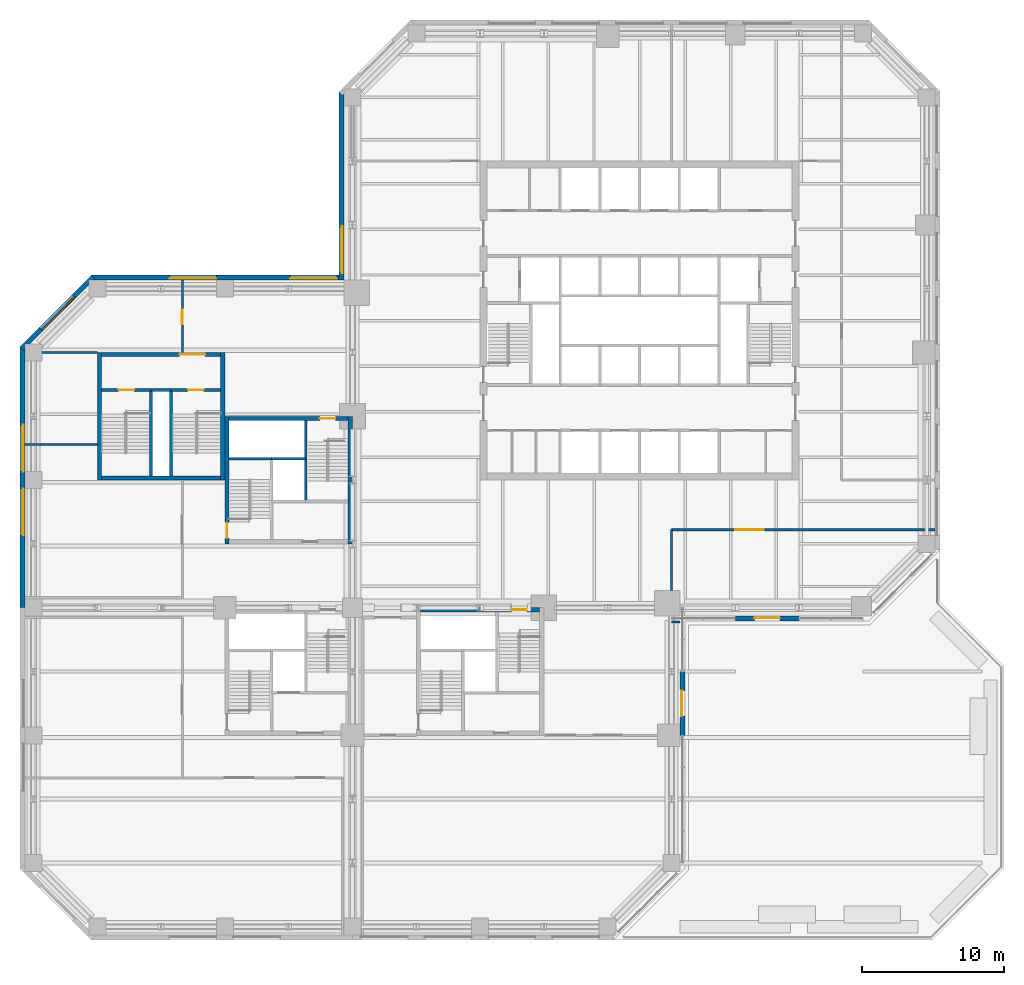
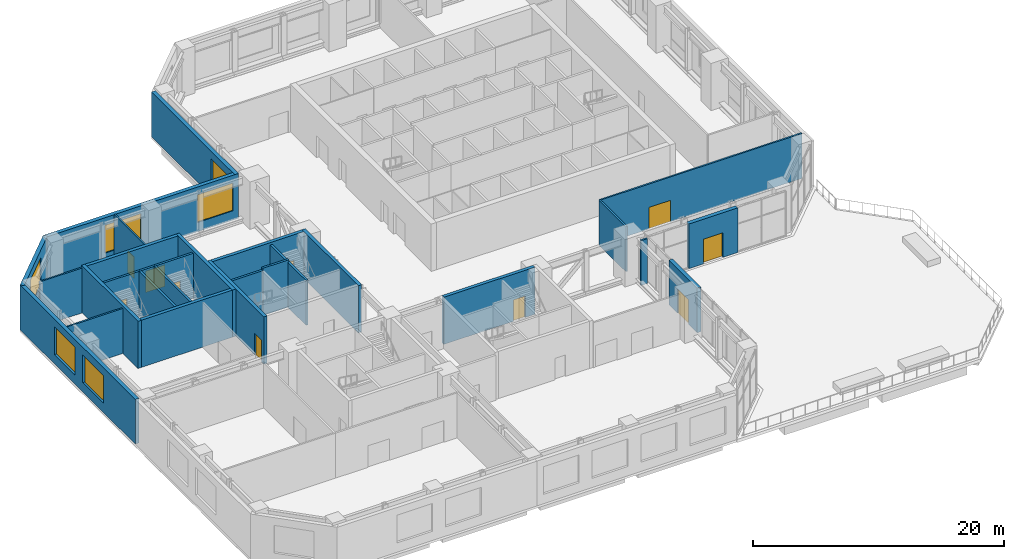
# One storey, part 14 of 21: 28 walls, 10 doors, 6 windows, 16 openings.
"""IFC4 building model written with IfcOpenShell, lengths in metres."""

from ifc_helpers import new_model, si_unit, direction, frame, frame_2d, origin, place, context, subcontext, project, spatial, rectangle, extrude, material, layer, layer_set, constituent, constituent_set, type_object, element, fill, save


model = new_model("IFC4")

# Units and contexts
model_context = context("Model", 3, precision=1e-05, world=origin(), true_north=direction((0.0, 1.0)))
body_context = subcontext(model_context, "Body", "Model", "MODEL_VIEW")
ifc_project = project(units=[si_unit("LENGTHUNIT", "METRE"), si_unit("AREAUNIT", "SQUARE_METRE"), si_unit("VOLUMEUNIT", "CUBIC_METRE"), si_unit("PLANEANGLEUNIT", "RADIAN"), si_unit("MASSUNIT", "GRAM", prefix="KILO")], contexts=[model_context])

# Site, building, storey
site_placement = place(None, origin())
site = spatial("IfcSite", under=ifc_project, at=site_placement, CompositionType="ELEMENT")
building_placement = place(site_placement, origin())
building = spatial("IfcBuilding", under=site, at=building_placement, Name="Quoin Convention Tower", CompositionType="ELEMENT")
storey_placement = place(building_placement, frame((0.0, 0.0, 18.5)))
storey = spatial("IfcBuildingStorey", under=building, at=storey_placement, Name="L03", CompositionType="ELEMENT", Elevation=18.5)

# Wall, opening, door
ifc_material_1 = material(Name="Brick masonry", Category="masonry")
ifc_layer_1 = layer(ifc_material_1, 0.35009765625)
ifc_layer_set_1 = layer_set([ifc_layer_1], Name="Brick masonry")
wall_type_1 = type_object("IfcWallType", Name="Brick facade wall", PredefinedType="STANDARD", material=ifc_layer_set_1)
wall_1_placement = place(storey_placement, frame((59.27490234375, 31.5, 0.0), z_axis=(0.0, 0.0, 1.0), x_axis=(0.0, 1.0, 0.0)))
wall_1 = element("IfcWall", 1, at=wall_1_placement, inside=storey, type_object=wall_type_1, Name="fw-L03-59275_31500", PredefinedType="STANDARD", context=body_context, shape_type="SweptSolid", body=[
    extrude(rectangle(XDim=4.5, YDim=0.35009765625, at=frame_2d((2.25, 0.0))), origin(), (0.0, 0.0, 1.0), 4.35498046875),
])
opening_1_placement = place(wall_1_placement, frame((1.35009765625, 0.0, 0.0)))
opening_1 = element("IfcOpeningElement", 2, at=opening_1_placement, cuts=wall_1, Name="Opening D-T1", PredefinedType="OPENING", context=body_context, shape_type="SweptSolid", body=[
    extrude(rectangle(XDim=1.800048828125, YDim=2.39990234375, at=frame_2d((0.89990234375, 1.199951171875))), frame((0.0, 0.18505859375, 0.0), z_axis=(0.0, -1.0, 0.0), x_axis=(1.0, 0.0, 0.0)), (0.0, 0.0, 1.0), 0.3701171875),
])
ifc_material_2 = material(Name="Aluminium", Category="aluminium")
ifc_constituent_1 = constituent(ifc_material_2, Name="Frame")
ifc_material_3 = material(Name="Insulated glass", Category="glass")
ifc_constituent_2 = constituent(ifc_material_3, Name="Glazing")
ifc_constituent_set_1 = constituent_set(constituents=[ifc_constituent_1, ifc_constituent_2], Name="Aluminium")
door_type_1 = type_object("IfcDoorType", Name="Glazed terrace door", OperationType="DOUBLE_DOOR_SINGLE_SWING", PredefinedType="DOOR", material=ifc_constituent_set_1)
door_1_placement = place(opening_1_placement, frame((1.800048828125, 0.0, 0.0), z_axis=(0.0, 0.0, 1.0), x_axis=(-1.0, 0.0, 0.0)))
door_1 = element("IfcDoor", 3, at=door_1_placement, inside=storey, type_object=door_type_1, Name="dr-L03-59275_31500", OperationType="DOUBLE_DOOR_SINGLE_SWING", OverallHeight=2.39990234375, OverallWidth=1.800048828125, PredefinedType="DOOR", context=body_context, shape_type="SweptSolid", body=[
    extrude(rectangle(XDim=1.800048828125, YDim=2.39990234375, at=frame_2d((0.89990234375, 1.199951171875))), frame((0.0, -0.02978515625, 0.0), z_axis=(0.0, -1.0, 0.0), x_axis=(1.0, 0.0, 0.0)), (0.0, 0.0, 1.0), 0.050048828125),
])
fill(opening_1, door_1)

wall_2_placement = place(storey_placement, frame((63.0, 39.72509765625, 0.0), z_axis=(0.0, 0.0, 1.0), x_axis=(1.0, 0.0, 0.0)))
wall_2 = element("IfcWall", 4, at=wall_2_placement, inside=storey, type_object=wall_type_1, Name="fw-L03-63000_39725", PredefinedType="STANDARD", context=body_context, shape_type="SweptSolid", body=[
    extrude(rectangle(XDim=4.5, YDim=0.35009765625, at=frame_2d((2.25, 0.0))), origin(), (0.0, 0.0, 1.0), 4.35498046875),
])
opening_2_placement = place(wall_2_placement, frame((1.35009765625, 0.0, 0.0)))
opening_2 = element("IfcOpeningElement", 5, at=opening_2_placement, cuts=wall_2, Name="Opening D-T1", PredefinedType="OPENING", context=body_context, shape_type="SweptSolid", body=[
    extrude(rectangle(XDim=1.800048828125, YDim=2.39990234375, at=frame_2d((0.89990234375, 1.199951171875))), frame((0.0, 0.18505859375, 0.0), z_axis=(0.0, -1.0, 0.0), x_axis=(1.0, 0.0, 0.0)), (0.0, 0.0, 1.0), 0.3701171875),
])
door_2_placement = place(opening_2_placement, frame((1.800048828125, 0.0, 0.0), z_axis=(0.0, 0.0, 1.0), x_axis=(-1.0, 0.0, 0.0)))
door_2 = element("IfcDoor", 6, at=door_2_placement, inside=storey, type_object=door_type_1, Name="dr-L03-63000_39725", OperationType="DOUBLE_DOOR_SINGLE_SWING", OverallHeight=2.39990234375, OverallWidth=1.800048828125, PredefinedType="DOOR", context=body_context, shape_type="SweptSolid", body=[
    extrude(rectangle(XDim=1.800048828125, YDim=2.39990234375, at=frame_2d((0.89990234375, 1.199951171875))), frame((0.0, -0.02978515625, 0.0), z_axis=(0.0, -1.0, 0.0), x_axis=(1.0, 0.0, 0.0)), (0.0, 0.0, 1.0), 0.050048828125),
])
fill(opening_2, door_2)

# Wall, opening, window
wall_3_placement = place(storey_placement, frame((35.22509765625, 76.8935546875, 0.0), z_axis=(0.0, 0.0, 1.0), x_axis=(0.0, -1.0, 0.0)))
wall_3 = element("IfcWall", 7, at=wall_3_placement, inside=storey, type_object=wall_type_1, Name="fw-L03-36000_76500", PredefinedType="STANDARD", context=body_context, shape_type="SweptSolid", body=[
    extrude(rectangle(XDim=13.29345703125, YDim=0.35009765625, at=frame_2d((6.646728515625, 0.0))), origin(), (0.0, 0.0, 1.0), 4.35498046875),
])
opening_3_placement = place(wall_3_placement, frame((9.493408203125, 0.0, 0.89990234375)))
opening_3 = element("IfcOpeningElement", 8, at=opening_3_placement, cuts=wall_3, Name="Opening W-03", PredefinedType="OPENING", context=body_context, shape_type="SweptSolid", body=[
    extrude(rectangle(XDim=3.300048828125, YDim=2.699951171875, at=frame_2d((1.64990234375, 1.35009765625))), frame((0.0, 0.18505859375, 0.0), z_axis=(0.0, -1.0, 0.0), x_axis=(1.0, 0.0, 0.0)), (0.0, 0.0, 1.0), 0.3701171875),
])
ifc_constituent_3 = constituent(ifc_material_2, Name="Frame")
ifc_constituent_4 = constituent(ifc_material_3, Name="Glazing")
ifc_constituent_set_2 = constituent_set(constituents=[ifc_constituent_3, ifc_constituent_4], Name="Aluminium")
window_type = type_object("IfcWindowType", Name="Sky lobby window", PartitioningType="DOUBLE_PANEL_VERTICAL", PredefinedType="WINDOW", material=ifc_constituent_set_2)
window_1_placement = place(opening_3_placement, origin())
window_1 = element("IfcWindow", 9, at=window_1_placement, inside=storey, type_object=window_type, Name="win-L03-35225_65250", OverallHeight=2.699951171875, OverallWidth=3.300048828125, PartitioningType="SINGLE_PANEL", PredefinedType="WINDOW", context=body_context, shape_type="SweptSolid", body=[
    extrude(rectangle(XDim=3.300048828125, YDim=2.699951171875, at=frame_2d((1.64990234375, 1.35009765625))), frame((0.0, 0.0849609375, 0.0), z_axis=(0.0, -1.0, 0.0), x_axis=(1.0, 0.0, 0.0)), (0.0, 0.0, 1.0), 0.06005859375),
])
fill(opening_3, window_1)

# Wall, openings, windows
wall_4_placement = place(storey_placement, frame((35.39990234375, 63.77490234375, 0.0), z_axis=(0.0, 0.0, 1.0), x_axis=(-1.0, 0.0, 0.0)))
wall_4 = element("IfcWall", 10, at=wall_4_placement, inside=storey, type_object=wall_type_1, Name="fw-L03-36000_63000", PredefinedType="STANDARD", context=body_context, shape_type="SweptSolid", body=[
    extrude(rectangle(XDim=17.79345703125, YDim=0.35009765625, at=frame_2d((8.896728515625, 0.0))), origin(), (0.0, 0.0, 1.0), 4.35498046875),
])
opening_4_placement = place(wall_4_placement, frame((0.5, 0.0, 0.89990234375)))
opening_4 = element("IfcOpeningElement", 11, at=opening_4_placement, cuts=wall_4, Name="Opening W-03", PredefinedType="OPENING", context=body_context, shape_type="SweptSolid", body=[
    extrude(rectangle(XDim=3.300048828125, YDim=2.699951171875, at=frame_2d((1.64990234375, 1.35009765625))), frame((0.0, 0.18505859375, 0.0), z_axis=(0.0, -1.0, 0.0), x_axis=(1.0, 0.0, 0.0)), (0.0, 0.0, 1.0), 0.3701171875),
])
opening_5_placement = place(wall_4_placement, frame((9.0, 0.0, 0.89990234375)))
opening_5 = element("IfcOpeningElement", 12, at=opening_5_placement, cuts=wall_4, Name="Opening W-03", PredefinedType="OPENING", context=body_context, shape_type="SweptSolid", body=[
    extrude(rectangle(XDim=3.300048828125, YDim=2.699951171875, at=frame_2d((1.64990234375, 1.35009765625))), frame((0.0, 0.18505859375, 0.0), z_axis=(0.0, -1.0, 0.0), x_axis=(1.0, 0.0, 0.0)), (0.0, 0.0, 1.0), 0.3701171875),
])
window_2_placement = place(opening_4_placement, origin())
window_2 = element("IfcWindow", 13, at=window_2_placement, inside=storey, type_object=window_type, Name="win-L03-33750_63775", OverallHeight=2.699951171875, OverallWidth=3.300048828125, PartitioningType="SINGLE_PANEL", PredefinedType="WINDOW", context=body_context, shape_type="SweptSolid", body=[
    extrude(rectangle(XDim=3.300048828125, YDim=2.699951171875, at=frame_2d((1.64990234375, 1.35009765625))), frame((0.0, 0.0849609375, 0.0), z_axis=(0.0, -1.0, 0.0), x_axis=(1.0, 0.0, 0.0)), (0.0, 0.0, 1.0), 0.06005859375),
])
fill(opening_4, window_2)
window_3_placement = place(opening_5_placement, origin())
window_3 = element("IfcWindow", 14, at=window_3_placement, inside=storey, type_object=window_type, Name="win-L03-24750_63775", OverallHeight=2.699951171875, OverallWidth=3.300048828125, PartitioningType="SINGLE_PANEL", PredefinedType="WINDOW", context=body_context, shape_type="SweptSolid", body=[
    extrude(rectangle(XDim=3.300048828125, YDim=2.699951171875, at=frame_2d((1.64990234375, 1.35009765625))), frame((0.0, 0.0849609375, 0.0), z_axis=(0.0, -1.0, 0.0), x_axis=(1.0, 0.0, 0.0)), (0.0, 0.0, 1.0), 0.06005859375),
])
fill(opening_5, window_3)

# Wall, opening, window
wall_5_placement = place(storey_placement, frame((17.730224609375, 63.826416015625, 0.0), z_axis=(0.0, 0.0, 1.0), x_axis=(-0.707106781187, -0.707106781187, 0.0)))
wall_5 = element("IfcWall", 15, at=wall_5_placement, inside=storey, type_object=wall_type_1, Name="fw-L03-18000_63000", PredefinedType="STANDARD", context=body_context, shape_type="SweptSolid", body=[
    extrude(rectangle(XDim=7.151123046875, YDim=0.35009765625, at=frame_2d((3.57568359375, 0.0))), origin(), (0.0, 0.0, 1.0), 4.35498046875),
])
opening_6_placement = place(wall_5_placement, frame((1.925537109375, 0.0, 0.89990234375)))
opening_6 = element("IfcOpeningElement", 16, at=opening_6_placement, cuts=wall_5, Name="Opening W-03", PredefinedType="OPENING", context=body_context, shape_type="SweptSolid", body=[
    extrude(rectangle(XDim=3.300048828125, YDim=2.699951171875, at=frame_2d((1.64990234375, 1.35009765625))), frame((0.0, 0.18505859375, 0.0), z_axis=(0.0, -1.0, 0.0), x_axis=(1.0, 0.0, 0.0)), (0.0, 0.0, 1.0), 0.3701171875),
])
window_4_placement = place(opening_6_placement, origin())
window_4 = element("IfcWindow", 17, at=window_4_placement, inside=storey, type_object=window_type, Name="win-L03-15202_61298", OverallHeight=2.699951171875, OverallWidth=3.300048828125, PartitioningType="SINGLE_PANEL", PredefinedType="WINDOW", context=body_context, shape_type="SweptSolid", body=[
    extrude(rectangle(XDim=3.300048828125, YDim=2.699951171875, at=frame_2d((1.64990234375, 1.35009765625))), frame((0.0, 0.0849609375, 0.0), z_axis=(0.0, -1.0, 0.0), x_axis=(1.0, 0.0, 0.0)), (0.0, 0.0, 1.0), 0.06005859375),
])
fill(opening_6, window_4)

# Wall, openings, windows
wall_6_placement = place(storey_placement, frame((12.72509765625, 58.8935546875, 0.0), z_axis=(0.0, 0.0, 1.0), x_axis=(0.0, -1.0, 0.0)))
wall_6 = element("IfcWall", 18, at=wall_6_placement, inside=storey, type_object=wall_type_1, Name="fw-L03-13500_58500", PredefinedType="STANDARD", context=body_context, shape_type="SweptSolid", body=[
    extrude(rectangle(XDim=18.3935546875, YDim=0.35009765625, at=frame_2d((9.19677734375, 0.0))), origin(), (0.0, 0.0, 1.0), 4.35498046875),
])
opening_7_placement = place(wall_6_placement, frame((5.493408203125, 0.0, 0.89990234375)))
opening_7 = element("IfcOpeningElement", 19, at=opening_7_placement, cuts=wall_6, Name="Opening W-03", PredefinedType="OPENING", context=body_context, shape_type="SweptSolid", body=[
    extrude(rectangle(XDim=3.300048828125, YDim=2.699951171875, at=frame_2d((1.64990234375, 1.35009765625))), frame((0.0, 0.18505859375, 0.0), z_axis=(0.0, -1.0, 0.0), x_axis=(1.0, 0.0, 0.0)), (0.0, 0.0, 1.0), 0.3701171875),
])
opening_8_placement = place(wall_6_placement, frame((9.993408203125, 0.0, 0.89990234375)))
opening_8 = element("IfcOpeningElement", 20, at=opening_8_placement, cuts=wall_6, Name="Opening W-03", PredefinedType="OPENING", context=body_context, shape_type="SweptSolid", body=[
    extrude(rectangle(XDim=3.300048828125, YDim=2.699951171875, at=frame_2d((1.64990234375, 1.35009765625))), frame((0.0, 0.18505859375, 0.0), z_axis=(0.0, -1.0, 0.0), x_axis=(1.0, 0.0, 0.0)), (0.0, 0.0, 1.0), 0.3701171875),
])
window_5_placement = place(opening_7_placement, origin())
window_5 = element("IfcWindow", 21, at=window_5_placement, inside=storey, type_object=window_type, Name="win-L03-12725_51750", OverallHeight=2.699951171875, OverallWidth=3.300048828125, PartitioningType="SINGLE_PANEL", PredefinedType="WINDOW", context=body_context, shape_type="SweptSolid", body=[
    extrude(rectangle(XDim=3.300048828125, YDim=2.699951171875, at=frame_2d((1.64990234375, 1.35009765625))), frame((0.0, 0.0849609375, 0.0), z_axis=(0.0, -1.0, 0.0), x_axis=(1.0, 0.0, 0.0)), (0.0, 0.0, 1.0), 0.06005859375),
])
fill(opening_7, window_5)
window_6_placement = place(opening_8_placement, origin())
window_6 = element("IfcWindow", 22, at=window_6_placement, inside=storey, type_object=window_type, Name="win-L03-12725_47250", OverallHeight=2.699951171875, OverallWidth=3.300048828125, PartitioningType="SINGLE_PANEL", PredefinedType="WINDOW", context=body_context, shape_type="SweptSolid", body=[
    extrude(rectangle(XDim=3.300048828125, YDim=2.699951171875, at=frame_2d((1.64990234375, 1.35009765625))), frame((0.0, 0.0849609375, 0.0), z_axis=(0.0, -1.0, 0.0), x_axis=(1.0, 0.0, 0.0)), (0.0, 0.0, 1.0), 0.06005859375),
])
fill(opening_8, window_6)

# Walls
ifc_material_4 = material(Name="Concrete C50", Category="concrete")
ifc_layer_2 = layer(ifc_material_4, 0.199951171875)
ifc_layer_set_2 = layer_set([ifc_layer_2], Name="Concrete C50")
wall_type_2 = type_object("IfcWallType", Name="Core shaft wall", PredefinedType="SOLIDWALL", material=ifc_layer_set_2)
wall_7_placement = place(storey_placement, frame((27.300048828125, 51.0, 0.0), z_axis=(0.0, 0.0, 1.0), x_axis=(1.0, 0.0, 0.0)))
element("IfcWall", 23, at=wall_7_placement, inside=storey, type_object=wall_type_2, Name="cr-P2-L03-h6000_300", PredefinedType="SOLIDWALL", context=body_context, shape_type="SweptSolid", body=[
    extrude(rectangle(XDim=3.0, YDim=0.199951171875, at=frame_2d((1.5, 0.0))), origin(), (0.0, 0.0, 1.0), 4.3798828125),
])
wall_8_placement = place(storey_placement, frame((32.699951171875, 48.0, 0.0), z_axis=(0.0, 0.0, 1.0), x_axis=(0.0, 1.0, 0.0)))
element("IfcWall", 24, at=wall_8_placement, inside=storey, type_object=wall_type_2, Name="cr-P2-L03-v5700_3000", PredefinedType="SOLIDWALL", context=body_context, shape_type="SweptSolid", body=[
    extrude(rectangle(XDim=5.699951171875, YDim=0.199951171875, at=frame_2d((2.85009765625, 0.0))), origin(), (0.0, 0.0, 1.0), 4.3798828125),
])
wall_9_placement = place(storey_placement, frame((21.800048828125, 55.85009765625, 0.0), z_axis=(0.0, 0.0, 1.0), x_axis=(1.0, 0.0, 0.0)))
element("IfcWall", 25, at=wall_9_placement, inside=storey, type_object=wall_type_2, Name="cr-P6-L03-h6350_3800", PredefinedType="SOLIDWALL", context=body_context, shape_type="SweptSolid", body=[
    extrude(rectangle(XDim=1.39990234375, YDim=0.199951171875, at=frame_2d((0.699951171875, 0.0))), origin(), (0.0, 0.0, 1.0), 4.3798828125),
])

# Wall, opening, door
wall_10_placement = place(storey_placement, frame((18.300048828125, 55.85009765625, 0.0), z_axis=(0.0, 0.0, 1.0), x_axis=(1.0, 0.0, 0.0)))
wall_10 = element("IfcWall", 26, at=wall_10_placement, inside=storey, type_object=wall_type_2, Name="cr-P6-L03-h6350_300", PredefinedType="SOLIDWALL", context=body_context, shape_type="SweptSolid", body=[
    extrude(rectangle(XDim=3.5, YDim=0.199951171875, at=frame_2d((1.75, 0.0))), origin(), (0.0, 0.0, 1.0), 4.3798828125),
])
opening_9_placement = place(wall_10_placement, frame((1.199951171875, 0.0, 0.0)))
opening_9 = element("IfcOpeningElement", 27, at=opening_9_placement, cuts=wall_10, Name="Opening SD11", PredefinedType="OPENING", context=body_context, shape_type="SweptSolid", body=[
    extrude(rectangle(XDim=1.10009765625, YDim=2.10009765625, at=frame_2d((0.550048828125, 1.050048828125))), frame((0.0, 0.10986328125, 0.0), z_axis=(0.0, -1.0, 0.0), x_axis=(1.0, 0.0, 0.0)), (0.0, 0.0, 1.0), 0.219970703125),
])
ifc_material_5 = material(Name="Steel door leaf", Category="steel")
door_type_2 = type_object("IfcDoorType", Name="Stair door 1100 x 2100", OperationType="SINGLE_SWING_RIGHT", PredefinedType="DOOR", material=ifc_material_5)
door_3_placement = place(opening_9_placement, origin())
door_3 = element("IfcDoor", 28, at=door_3_placement, inside=storey, type_object=door_type_2, Name="cd-P6-L03-SA-R2-SD11", OperationType="SINGLE_SWING_RIGHT", OverallHeight=2.10009765625, OverallWidth=1.10009765625, PredefinedType="DOOR", context=body_context, shape_type="SweptSolid", body=[
    extrude(rectangle(XDim=1.10009765625, YDim=2.10009765625, at=frame_2d((0.550048828125, 1.050048828125))), frame((0.0, 0.02490234375, 0.0), z_axis=(0.0, -1.0, 0.0), x_axis=(1.0, 0.0, 0.0)), (0.0, 0.0, 1.0), 0.050048828125),
])
fill(opening_9, door_3)

wall_11_placement = place(storey_placement, frame((23.199951171875, 55.85009765625, 0.0), z_axis=(0.0, 0.0, 1.0), x_axis=(1.0, 0.0, 0.0)))
wall_11 = element("IfcWall", 29, at=wall_11_placement, inside=storey, type_object=wall_type_2, Name="cr-P6-L03-h6350_5200", PredefinedType="SOLIDWALL", context=body_context, shape_type="SweptSolid", body=[
    extrude(rectangle(XDim=3.5, YDim=0.199951171875, at=frame_2d((1.75, 0.0))), origin(), (0.0, 0.0, 1.0), 4.3798828125),
])
opening_10_placement = place(wall_11_placement, frame((1.199951171875, 0.0, 0.0)))
opening_10 = element("IfcOpeningElement", 30, at=opening_10_placement, cuts=wall_11, Name="Opening SD12", PredefinedType="OPENING", context=body_context, shape_type="SweptSolid", body=[
    extrude(rectangle(XDim=1.10009765625, YDim=2.10009765625, at=frame_2d((0.550048828125, 1.050048828125))), frame((0.0, 0.10986328125, 0.0), z_axis=(0.0, -1.0, 0.0), x_axis=(1.0, 0.0, 0.0)), (0.0, 0.0, 1.0), 0.219970703125),
])
door_4_placement = place(opening_10_placement, origin())
door_4 = element("IfcDoor", 31, at=door_4_placement, inside=storey, type_object=door_type_2, Name="cd-P6-L03-SB-R2-SD12", OperationType="SINGLE_SWING_RIGHT", OverallHeight=2.10009765625, OverallWidth=1.10009765625, PredefinedType="DOOR", context=body_context, shape_type="SweptSolid", body=[
    extrude(rectangle(XDim=1.10009765625, YDim=2.10009765625, at=frame_2d((0.550048828125, 1.050048828125))), frame((0.0, 0.02490234375, 0.0), z_axis=(0.0, -1.0, 0.0), x_axis=(1.0, 0.0, 0.0)), (0.0, 0.0, 1.0), 0.050048828125),
])
fill(opening_10, door_4)

# Walls
for number, where, z_axis, x_axis, name in (
    (32, (21.800048828125, 49.800048828125, 0.0), (0.0, 0.0, 1.0), (0.0, 1.0, 0.0), "cr-P6-L03-v3800_300"),
    (33, (23.199951171875, 49.800048828125, 0.0), (0.0, 0.0, 1.0), (0.0, 1.0, 0.0), "cr-P6-L03-v5200_300"),
):
    element("IfcWall", number, at=place(storey_placement, frame(where, z_axis=z_axis, x_axis=x_axis)), inside=storey, type_object=wall_type_2, Name=name, PredefinedType="SOLIDWALL", context=body_context, shape_type="SweptSolid", body=[
        extrude(rectangle(XDim=6.050048828125, YDim=0.199951171875, at=frame_2d((3.02490234375, 0.0))), origin(), (0.0, 0.0, 1.0), 4.3798828125),
    ])
ifc_layer_3 = layer(ifc_material_4, 0.199951171875)
ifc_layer_set_3 = layer_set([ifc_layer_3], Name="Concrete C50")
wall_type_3 = type_object("IfcWallType", Name="Core shaft wall to the floor level over", PredefinedType="SOLIDWALL", material=ifc_layer_set_3)
wall_12_placement = place(storey_placement, frame((30.300048828125, 51.0, 0.0), z_axis=(0.0, 0.0, 1.0), x_axis=(1.0, 0.0, 0.0)))
element("IfcWall", 34, at=wall_12_placement, inside=storey, type_object=wall_type_3, Name="cr-P2-L03-h6000_3300", PredefinedType="SOLIDWALL", context=body_context, shape_type="SweptSolid", body=[
    extrude(rectangle(XDim=2.39990234375, YDim=0.199951171875, at=frame_2d((1.199951171875, 0.0))), origin(), (0.0, 0.0, 1.0), 4.60009765625),
])
ifc_material_6 = material(Name="Plasterboard")
ifc_layer_4 = layer(ifc_material_6, 0.012451171875, Name="Finish")
ifc_material_7 = material(Name="Steel stud framing", Category="steel")
ifc_layer_5 = layer(ifc_material_7, 0.125, Name="Structure")
ifc_layer_6 = layer(ifc_material_6, 0.012451171875, Name="Finish")
ifc_layer_set_4 = layer_set([ifc_layer_4, ifc_layer_5, ifc_layer_6], Name="Steel stud framing")
wall_type_4 = type_object("IfcWallType", Name="Partition wall 150", PredefinedType="PARTITIONING", material=ifc_layer_set_4)
wall_13_placement = place(storey_placement, frame((58.5, 39.5, 0.0), z_axis=(0.0, 0.0, 1.0), x_axis=(1.0, 0.0, 0.0)))
element("IfcWall", 35, at=wall_13_placement, inside=storey, type_object=wall_type_4, Name="pw-L03-009", PredefinedType="PARTITIONING", context=body_context, shape_type="SweptSolid", body=[
    extrude(rectangle(XDim=0.60009765625, YDim=0.14990234375, at=frame_2d((0.300048828125, 0.0))), origin(), (0.0, 0.0, 1.0), 4.3798828125),
])
wall_14_placement = place(storey_placement, frame((58.5, 41.699951171875, 0.0), z_axis=(0.0, 0.0, 1.0), x_axis=(0.0, 1.0, 0.0)))
element("IfcWall", 36, at=wall_14_placement, inside=storey, type_object=wall_type_4, Name="pw-L03-010", PredefinedType="PARTITIONING", context=body_context, shape_type="SweptSolid", body=[
    extrude(rectangle(XDim=4.300048828125, YDim=0.14990234375, at=frame_2d((2.14990234375, 0.0))), origin(), (0.0, 0.0, 1.0), 4.3798828125),
])

# Wall, opening, door
wall_15_placement = place(storey_placement, frame((58.5, 46.0, 0.0), z_axis=(0.0, 0.0, 1.0), x_axis=(1.0, 0.0, 0.0)))
wall_15 = element("IfcWall", 37, at=wall_15_placement, inside=storey, type_object=wall_type_4, Name="pw-L03-015", PredefinedType="PARTITIONING", context=body_context, shape_type="SweptSolid", body=[
    extrude(rectangle(XDim=18.60009765625, YDim=0.14990234375, at=frame_2d((9.300048828125, 0.0))), origin(), (0.0, 0.0, 1.0), 4.3798828125),
])
opening_11_placement = place(wall_15_placement, frame((4.5, 0.0, 0.0)))
opening_11 = element("IfcOpeningElement", 38, at=opening_11_placement, cuts=wall_15, Name="Opening DPD3-09", PredefinedType="OPENING", context=body_context, shape_type="SweptSolid", body=[
    extrude(rectangle(XDim=2.0, YDim=2.10009765625, at=frame_2d((1.0, 1.050048828125))), frame((0.0, 0.0849609375, 0.0), z_axis=(0.0, -1.0, 0.0), x_axis=(1.0, 0.0, 0.0)), (0.0, 0.0, 1.0), 0.169921875),
])
door_type_3 = type_object("IfcDoorType", Name="Double leaf door 2000", OperationType="DOUBLE_DOOR_SINGLE_SWING", PredefinedType="DOOR", material=ifc_material_5)
door_5_placement = place(opening_11_placement, frame((2.0, 0.0, 0.0), z_axis=(0.0, 0.0, 1.0), x_axis=(-1.0, 0.0, 0.0)))
door_5 = element("IfcDoor", 39, at=door_5_placement, inside=storey, type_object=door_type_3, Name="dr-L03-011", OperationType="DOUBLE_DOOR_SINGLE_SWING", OverallHeight=2.10009765625, OverallWidth=2.0, PredefinedType="DOOR", context=body_context, shape_type="SweptSolid", body=[
    extrude(rectangle(XDim=2.0, YDim=2.10009765625, at=frame_2d((1.0, 1.050048828125))), frame((0.0, 0.02490234375, 0.0), z_axis=(0.0, -1.0, 0.0), x_axis=(1.0, 0.0, 0.0)), (0.0, 0.0, 1.0), 0.050048828125),
])
fill(opening_11, door_5)

# Walls
wall_16_placement = place(storey_placement, frame((12.89990234375, 52.0, 0.0), z_axis=(0.0, 0.0, 1.0), x_axis=(1.0, 0.0, 0.0)))
element("IfcWall", 40, at=wall_16_placement, inside=storey, type_object=wall_type_4, Name="pw-L03-018", PredefinedType="PARTITIONING", context=body_context, shape_type="SweptSolid", body=[
    extrude(rectangle(XDim=5.10009765625, YDim=0.14990234375, at=frame_2d((2.550048828125, 0.0))), origin(), (0.0, 0.0, 1.0), 4.3798828125),
])
wall_17_placement = place(storey_placement, frame((14.10009765625, 58.5, 0.0), z_axis=(0.0, 0.0, 1.0), x_axis=(1.0, 0.0, 0.0)))
element("IfcWall", 41, at=wall_17_placement, inside=storey, type_object=wall_type_4, Name="pw-L03-020", PredefinedType="PARTITIONING", context=body_context, shape_type="SweptSolid", body=[
    extrude(rectangle(XDim=3.89990234375, YDim=0.14990234375, at=frame_2d((1.949951171875, 0.0))), origin(), (0.0, 0.0, 1.0), 4.3798828125),
])

# Wall, opening, door
wall_18_placement = place(storey_placement, frame((24.0, 58.5, 0.0), z_axis=(0.0, 0.0, 1.0), x_axis=(0.0, 1.0, 0.0)))
wall_18 = element("IfcWall", 42, at=wall_18_placement, inside=storey, type_object=wall_type_4, Name="pw-L03-021", PredefinedType="PARTITIONING", context=body_context, shape_type="SweptSolid", body=[
    extrude(rectangle(XDim=5.10009765625, YDim=0.14990234375, at=frame_2d((2.550048828125, 0.0))), origin(), (0.0, 0.0, 1.0), 4.3798828125),
])
opening_12_placement = place(wall_18_placement, frame((2.0, 0.0, 0.0)))
opening_12 = element("IfcOpeningElement", 43, at=opening_12_placement, cuts=wall_18, Name="Opening DPD3-11", PredefinedType="OPENING", context=body_context, shape_type="SweptSolid", body=[
    extrude(rectangle(XDim=1.0, YDim=2.10009765625, at=frame_2d((0.5, 1.050048828125))), frame((0.0, 0.0849609375, 0.0), z_axis=(0.0, -1.0, 0.0), x_axis=(1.0, 0.0, 0.0)), (0.0, 0.0, 1.0), 0.169921875),
])
door_type_4 = type_object("IfcDoorType", Name="Single leaf door 1000", OperationType="SINGLE_SWING_LEFT", PredefinedType="DOOR", material=ifc_material_5)
door_6_placement = place(opening_12_placement, origin())
door_6 = element("IfcDoor", 44, at=door_6_placement, inside=storey, type_object=door_type_4, Name="dr-L03-009", OperationType="SINGLE_SWING_LEFT", OverallHeight=2.10009765625, OverallWidth=1.0, PredefinedType="DOOR", context=body_context, shape_type="SweptSolid", body=[
    extrude(rectangle(XDim=1.0, YDim=2.10009765625, at=frame_2d((0.5, 1.050048828125))), frame((0.0, 0.02490234375, 0.0), z_axis=(0.0, -1.0, 0.0), x_axis=(1.0, 0.0, 0.0)), (0.0, 0.0, 1.0), 0.050048828125),
])
fill(opening_12, door_6)

ifc_material_8 = material(Name="Concrete C80", Category="concrete")
ifc_layer_7 = layer(ifc_material_8, 0.300048828125)
ifc_layer_set_5 = layer_set([ifc_layer_7], Name="Concrete C80")
wall_type_5 = type_object("IfcWallType", Name="RC CORE WALL 300 C80", PredefinedType="SHEAR", material=ifc_layer_set_5)
wall_19_placement = place(storey_placement, frame((27.300048828125, 53.85009765625, 0.0), z_axis=(0.0, 0.0, 1.0), x_axis=(1.0, 0.0, 0.0)))
wall_19 = element("IfcWall", 45, at=wall_19_placement, inside=storey, type_object=wall_type_5, Name="cwl-P2-L03-N", PredefinedType="SHEAR", context=body_context, shape_type="SweptSolid", body=[
    extrude(rectangle(XDim=8.39990234375, YDim=0.300048828125, at=frame_2d((4.199951171875, 0.0))), origin(), (0.0, 0.0, 1.0), 4.60009765625),
])
opening_13_placement = place(wall_19_placement, frame((6.39990234375, 0.0, 0.0)))
opening_13 = element("IfcOpeningElement", 46, at=opening_13_placement, cuts=wall_19, Name="Opening SD4", PredefinedType="OPENING", context=body_context, shape_type="SweptSolid", body=[
    extrude(rectangle(XDim=1.10009765625, YDim=2.10009765625, at=frame_2d((0.550048828125, 1.050048828125))), frame((0.0, 0.159912109375, 0.0), z_axis=(0.0, -1.0, 0.0), x_axis=(1.0, 0.0, 0.0)), (0.0, 0.0, 1.0), 0.320068359375),
])
door_7_placement = place(opening_13_placement, frame((1.10009765625, 0.0, 0.0), z_axis=(0.0, 0.0, 1.0), x_axis=(-1.0, 0.0, 0.0)))
door_7 = element("IfcDoor", 47, at=door_7_placement, inside=storey, type_object=door_type_2, Name="cd-P2-L03-SB-N", OperationType="SINGLE_SWING_LEFT", OverallHeight=2.10009765625, OverallWidth=1.10009765625, PredefinedType="DOOR", context=body_context, shape_type="SweptSolid", body=[
    extrude(rectangle(XDim=1.10009765625, YDim=2.10009765625, at=frame_2d((0.550048828125, 1.050048828125))), frame((0.0, 0.02490234375, 0.0), z_axis=(0.0, -1.0, 0.0), x_axis=(1.0, 0.0, 0.0)), (0.0, 0.0, 1.0), 0.050048828125),
])
fill(opening_13, door_7)

wall_20_placement = place(storey_placement, frame((27.14990234375, 45.0, 0.0), z_axis=(0.0, 0.0, 1.0), x_axis=(0.0, 1.0, 0.0)))
wall_20 = element("IfcWall", 48, at=wall_20_placement, inside=storey, type_object=wall_type_5, Name="cwl-P2-L03-W", PredefinedType="SHEAR", context=body_context, shape_type="SweptSolid", body=[
    extrude(rectangle(XDim=9.0, YDim=0.300048828125, at=frame_2d((4.5, 0.0))), origin(), (0.0, 0.0, 1.0), 4.60009765625),
])
opening_14_placement = place(wall_20_placement, frame((0.39990234375, 0.0, 0.0)))
opening_14 = element("IfcOpeningElement", 49, at=opening_14_placement, cuts=wall_20, Name="Opening SD3", PredefinedType="OPENING", context=body_context, shape_type="SweptSolid", body=[
    extrude(rectangle(XDim=1.10009765625, YDim=2.10009765625, at=frame_2d((0.550048828125, 1.050048828125))), frame((0.0, 0.159912109375, 0.0), z_axis=(0.0, -1.0, 0.0), x_axis=(1.0, 0.0, 0.0)), (0.0, 0.0, 1.0), 0.320068359375),
])
door_8_placement = place(opening_14_placement, frame((1.10009765625, 0.0, 0.0), z_axis=(0.0, 0.0, 1.0), x_axis=(-1.0, 0.0, 0.0)))
door_8 = element("IfcDoor", 50, at=door_8_placement, inside=storey, type_object=door_type_2, Name="cd-P2-L03-SA-W", OperationType="SINGLE_SWING_RIGHT", OverallHeight=2.10009765625, OverallWidth=1.10009765625, PredefinedType="DOOR", context=body_context, shape_type="SweptSolid", body=[
    extrude(rectangle(XDim=1.10009765625, YDim=2.10009765625, at=frame_2d((0.550048828125, 1.050048828125))), frame((0.0, 0.02490234375, 0.0), z_axis=(0.0, -1.0, 0.0), x_axis=(1.0, 0.0, 0.0)), (0.0, 0.0, 1.0), 0.050048828125),
])
fill(opening_14, door_8)

# Wall
wall_21_placement = place(storey_placement, frame((35.85009765625, 45.0, 0.0), z_axis=(0.0, 0.0, 1.0), x_axis=(0.0, 1.0, 0.0)))
element("IfcWall", 51, at=wall_21_placement, inside=storey, type_object=wall_type_5, Name="cwl-P2-L03-E", PredefinedType="SHEAR", context=body_context, shape_type="SweptSolid", body=[
    extrude(rectangle(XDim=9.0, YDim=0.300048828125, at=frame_2d((4.5, 0.0))), origin(), (0.0, 0.0, 1.0), 4.60009765625),
])

# Wall, opening, door
wall_22_placement = place(storey_placement, frame((40.800048828125, 40.35009765625, 0.0), z_axis=(0.0, 0.0, 1.0), x_axis=(1.0, 0.0, 0.0)))
wall_22 = element("IfcWall", 52, at=wall_22_placement, inside=storey, type_object=wall_type_5, Name="cwl-P3-L03-N", PredefinedType="SHEAR", context=body_context, shape_type="SweptSolid", body=[
    extrude(rectangle(XDim=8.39990234375, YDim=0.300048828125, at=frame_2d((4.199951171875, 0.0))), origin(), (0.0, 0.0, 1.0), 4.60009765625),
])
opening_15_placement = place(wall_22_placement, frame((6.39990234375, 0.0, 0.0)))
opening_15 = element("IfcOpeningElement", 53, at=opening_15_placement, cuts=wall_22, Name="Opening SD6", PredefinedType="OPENING", context=body_context, shape_type="SweptSolid", body=[
    extrude(rectangle(XDim=1.10009765625, YDim=2.10009765625, at=frame_2d((0.550048828125, 1.050048828125))), frame((0.0, 0.159912109375, 0.0), z_axis=(0.0, -1.0, 0.0), x_axis=(1.0, 0.0, 0.0)), (0.0, 0.0, 1.0), 0.320068359375),
])
door_9_placement = place(opening_15_placement, frame((1.10009765625, 0.0, 0.0), z_axis=(0.0, 0.0, 1.0), x_axis=(-1.0, 0.0, 0.0)))
door_9 = element("IfcDoor", 54, at=door_9_placement, inside=storey, type_object=door_type_2, Name="cd-P3-L03-SB-N", OperationType="SINGLE_SWING_LEFT", OverallHeight=2.10009765625, OverallWidth=1.10009765625, PredefinedType="DOOR", context=body_context, shape_type="SweptSolid", body=[
    extrude(rectangle(XDim=1.10009765625, YDim=2.10009765625, at=frame_2d((0.550048828125, 1.050048828125))), frame((0.0, 0.02490234375, 0.0), z_axis=(0.0, -1.0, 0.0), x_axis=(1.0, 0.0, 0.0)), (0.0, 0.0, 1.0), 0.050048828125),
])
fill(opening_15, door_9)

# Wall
wall_23_placement = place(storey_placement, frame((18.300048828125, 49.64990234375, 0.0), z_axis=(0.0, 0.0, 1.0), x_axis=(1.0, 0.0, 0.0)))
element("IfcWall", 55, at=wall_23_placement, inside=storey, type_object=wall_type_5, Name="cwl-P6-L03-S", PredefinedType="SHEAR", context=body_context, shape_type="SweptSolid", body=[
    extrude(rectangle(XDim=8.39990234375, YDim=0.300048828125, at=frame_2d((4.199951171875, 0.0))), origin(), (0.0, 0.0, 1.0), 4.60009765625),
])

# Wall, opening, door
wall_24_placement = place(storey_placement, frame((18.300048828125, 58.35009765625, 0.0), z_axis=(0.0, 0.0, 1.0), x_axis=(1.0, 0.0, 0.0)))
wall_24 = element("IfcWall", 56, at=wall_24_placement, inside=storey, type_object=wall_type_5, Name="cwl-P6-L03-N", PredefinedType="SHEAR", context=body_context, shape_type="SweptSolid", body=[
    extrude(rectangle(XDim=8.39990234375, YDim=0.300048828125, at=frame_2d((4.199951171875, 0.0))), origin(), (0.0, 0.0, 1.0), 4.60009765625),
])
opening_16_placement = place(wall_24_placement, frame((5.5, 0.0, 0.0)))
opening_16 = element("IfcOpeningElement", 57, at=opening_16_placement, cuts=wall_24, Name="Opening DCV1-55", PredefinedType="OPENING", context=body_context, shape_type="SweptSolid", body=[
    extrude(rectangle(XDim=1.800048828125, YDim=2.10009765625, at=frame_2d((0.89990234375, 1.050048828125))), frame((0.0, 0.159912109375, 0.0), z_axis=(0.0, -1.0, 0.0), x_axis=(1.0, 0.0, 0.0)), (0.0, 0.0, 1.0), 0.320068359375),
])
door_type_5 = type_object("IfcDoorType", Name="Goods lobby door 1800 x 2100", OperationType="SINGLE_SWING_LEFT", PredefinedType="DOOR", material=ifc_material_5)
door_10_placement = place(opening_16_placement, frame((1.800048828125, 0.0, 0.0), z_axis=(0.0, 0.0, 1.0), x_axis=(-1.0, 0.0, 0.0)))
door_10 = element("IfcDoor", 58, at=door_10_placement, inside=storey, type_object=door_type_5, Name="cd-P6-L03-R2-N", OperationType="SINGLE_SWING_LEFT", OverallHeight=2.10009765625, OverallWidth=1.800048828125, PredefinedType="DOOR", context=body_context, shape_type="SweptSolid", body=[
    extrude(rectangle(XDim=1.800048828125, YDim=2.10009765625, at=frame_2d((0.89990234375, 1.050048828125))), frame((0.0, 0.02490234375, 0.0), z_axis=(0.0, -1.0, 0.0), x_axis=(1.0, 0.0, 0.0)), (0.0, 0.0, 1.0), 0.050048828125),
])
fill(opening_16, door_10)

# Walls
for number, where, z_axis, x_axis, name in (
    (59, (18.14990234375, 49.5, 0.0), (0.0, 0.0, 1.0), (0.0, 1.0, 0.0), "cwl-P6-L03-W"),
    (60, (26.85009765625, 49.5, 0.0), (0.0, 0.0, 1.0), (0.0, 1.0, 0.0), "cwl-P6-L03-E"),
):
    element("IfcWall", number, at=place(storey_placement, frame(where, z_axis=z_axis, x_axis=x_axis)), inside=storey, type_object=wall_type_5, Name=name, PredefinedType="SHEAR", context=body_context, shape_type="SweptSolid", body=[
        extrude(rectangle(XDim=9.0, YDim=0.300048828125, at=frame_2d((4.5, 0.0))), origin(), (0.0, 0.0, 1.0), 4.60009765625),
    ])

save(model, "model.ifc")
